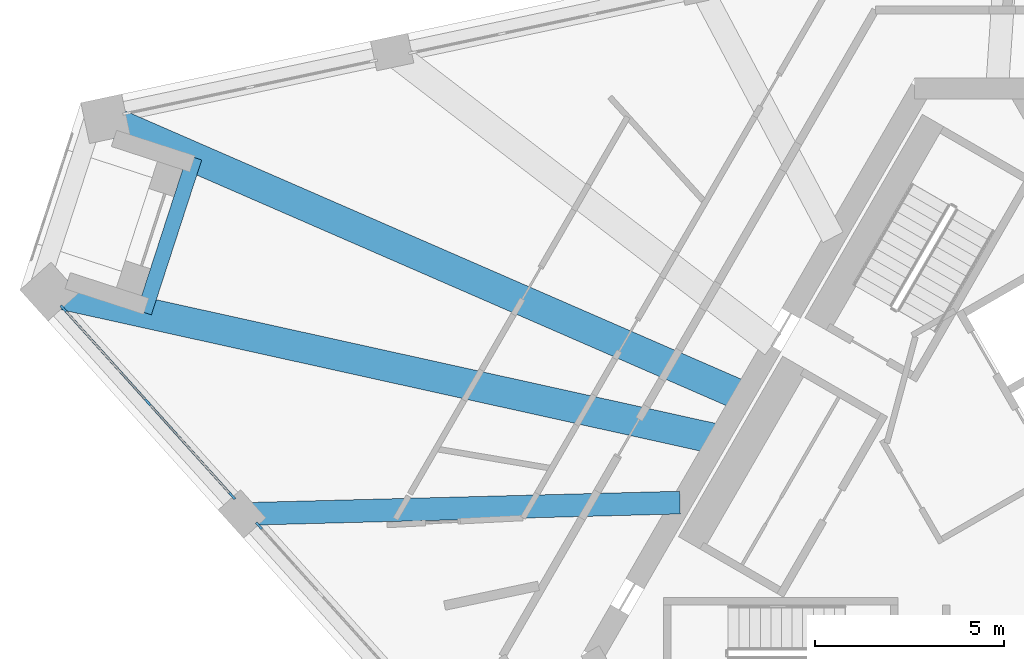
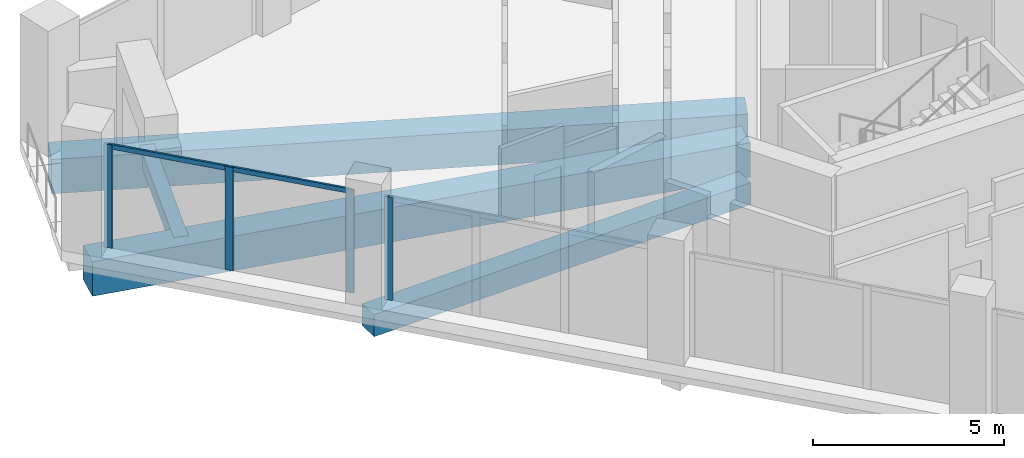
# One storey, part 4 of 17: 6 members, 4 beams, 2 elements without a shape of their own.
"""IFC4 building model written with IfcOpenShell, lengths in metres."""

from ifc_helpers import new_model, si_unit, direction, frame, origin, origin_2d, place, context, subcontext, project, spatial, rectangle, extrude, material, layer, layer_set, material_profile, profile_set, type_object, element, aggregate, save


model = new_model("IFC4")

# Units and contexts
model_context = context("Model", 3, precision=1e-05, world=origin(), true_north=direction((0.0, 1.0)))
body_context = subcontext(model_context, "Body", "Model", "MODEL_VIEW")
ifc_project = project(units=[si_unit("LENGTHUNIT", "METRE"), si_unit("AREAUNIT", "SQUARE_METRE"), si_unit("VOLUMEUNIT", "CUBIC_METRE"), si_unit("PLANEANGLEUNIT", "RADIAN"), si_unit("MASSUNIT", "GRAM", prefix="KILO")], contexts=[model_context])

# Site, building, storey
site_placement = place(None, origin())
site = spatial("IfcSite", under=ifc_project, at=site_placement, CompositionType="ELEMENT")
building_placement = place(site_placement, origin())
building = spatial("IfcBuilding", under=site, at=building_placement, Name="Tramontana Tower", CompositionType="ELEMENT")
storey_placement = place(building_placement, frame((0.0, 0.0, 348.39990234375)))
storey = spatial("IfcBuildingStorey", under=building, at=storey_placement, Name="L80", CompositionType="ELEMENT", Elevation=348.39990234375)

# Curtain wall, members
ifc_material_1 = material(Name="Aluminum extrusion", Category="aluminium")
ifc_layer = layer(ifc_material_1, 0.14990234375)
ifc_layer_set = layer_set([ifc_layer], Name="CW5 Top lounge curtain wall")
curtain_wall_type = type_object("IfcCurtainWallType", Name="CW5 Top lounge curtain wall", PredefinedType="NOTDEFINED", material=ifc_layer_set)
curtain_wall_1_placement = place(storey_placement, origin())
curtain_wall_1 = element("IfcCurtainWall", 1, at=curtain_wall_1_placement, inside=storey, type_object=curtain_wall_type, Name="CW5 curtain wall L80 face 0 bay 1", PredefinedType="NOTDEFINED")
ifc_material_2 = material(Name="Aluminum extrusion", Category="aluminium")
ifc_material_profile_1 = material_profile(ifc_material_2, rectangle(XDim=0.06005859375, YDim=0.219970703125, at=origin_2d()), Name="CW5-M Mullion 60 x 220")
ifc_profile_set_1 = profile_set([ifc_material_profile_1], Name="Aluminum extrusion")
member_type_1 = type_object("IfcMemberType", Name="CW5-M Mullion 60 x 220", PredefinedType="MULLION", material=ifc_profile_set_1)
member_1_placement = place(storey_placement, frame((-23.908447265625, 4.920654296875, 0.0), z_axis=(0.0, 0.0, 1.0), x_axis=(0.743144825477, 0.669130606359, 0.0)))
member_1 = element("IfcMember", 2, at=member_1_placement, type_object=member_type_1, Name="CW5 curtain wall L80 face 0 bay 1 mullion 1", PredefinedType="MULLION", context=body_context, shape_type="SweptSolid", body=[
    extrude(rectangle(XDim=0.06005859375, YDim=0.219970703125, at=origin_2d()), origin(), (0.0, 0.0, 1.0), 3.300048828125),
])
member_2_placement = place(storey_placement, frame((-21.682373046875, 2.4482421875, 0.0), z_axis=(0.0, 0.0, 1.0), x_axis=(0.743144825477, 0.669130606359, 0.0)))
member_2 = element("IfcMember", 3, at=member_2_placement, type_object=member_type_1, Name="CW5 curtain wall L80 face 0 bay 1 mullion 2", PredefinedType="MULLION", context=body_context, shape_type="SweptSolid", body=[
    extrude(rectangle(XDim=0.06005859375, YDim=0.219970703125, at=origin_2d()), origin(), (0.0, 0.0, 1.0), 3.300048828125),
])
member_3_placement = place(storey_placement, frame((-19.456298828125, -0.024169921875, 0.0), z_axis=(0.0, 0.0, 1.0), x_axis=(0.743144825477, 0.669130606359, 0.0)))
member_3 = element("IfcMember", 4, at=member_3_placement, type_object=member_type_1, Name="CW5 curtain wall L80 face 0 bay 1 mullion 3", PredefinedType="MULLION", context=body_context, shape_type="SweptSolid", body=[
    extrude(rectangle(XDim=0.06005859375, YDim=0.219970703125, at=origin_2d()), origin(), (0.0, 0.0, 1.0), 3.300048828125),
])

# Curtain wall, member
curtain_wall_2_placement = place(storey_placement, origin())
curtain_wall_2 = element("IfcCurtainWall", 5, at=curtain_wall_2_placement, inside=storey, type_object=curtain_wall_type, Name="CW5 curtain wall L80 face 0 bay 2", PredefinedType="NOTDEFINED")
member_4_placement = place(storey_placement, frame((-18.7470703125, -0.81201171875, 0.0), z_axis=(0.0, 0.0, 1.0), x_axis=(0.743144825477, 0.669130606359, 0.0)))
member_4 = element("IfcMember", 6, at=member_4_placement, type_object=member_type_1, Name="CW5 curtain wall L80 face 0 bay 2 mullion 1", PredefinedType="MULLION", context=body_context, shape_type="SweptSolid", body=[
    extrude(rectangle(XDim=0.06005859375, YDim=0.219970703125, at=origin_2d()), origin(), (0.0, 0.0, 1.0), 3.300048828125),
])
aggregate(curtain_wall_2, [member_4])

# Member
ifc_material_3 = material(Name="Aluminum extrusion", Category="aluminium")
ifc_material_profile_2 = material_profile(ifc_material_3, rectangle(XDim=0.06005859375, YDim=0.14990234375, at=origin_2d()), Name="CW5-T Transom 60 x 150")
ifc_profile_set_2 = profile_set([ifc_material_profile_2], Name="Aluminum extrusion")
member_type_2 = type_object("IfcMemberType", Name="CW5-T Transom 60 x 150", PredefinedType="USERDEFINED", material=ifc_profile_set_2)
member_5_placement = place(storey_placement, frame((-23.888427734375, 4.898193359375, 3.239990234375), z_axis=(0.66914637952, -0.743130622956, 0.0), x_axis=(0.743130622956, 0.66914637952, 0.0)))
member_5 = element("IfcMember", 7, at=member_5_placement, type_object=member_type_2, Name="CW5 curtain wall L80 face 0 bay 1 transom 1.1", ObjectType="TRANSOM", PredefinedType="USERDEFINED", context=body_context, shape_type="SweptSolid", body=[
    extrude(rectangle(XDim=0.06005859375, YDim=0.14990234375, at=origin_2d()), origin(), (0.0, 0.0, 1.0), 3.266845703125),
])

member_6_placement = place(storey_placement, frame((-21.662353515625, 2.42578125, 3.239990234375), z_axis=(0.66914637952, -0.743130622956, 0.0), x_axis=(0.743130622956, 0.66914637952, 0.0)))
member_6 = element("IfcMember", 8, at=member_6_placement, type_object=member_type_2, Name="CW5 curtain wall L80 face 0 bay 1 transom 2.1", ObjectType="TRANSOM", PredefinedType="USERDEFINED", context=body_context, shape_type="SweptSolid", body=[
    extrude(rectangle(XDim=0.06005859375, YDim=0.14990234375, at=origin_2d()), origin(), (0.0, 0.0, 1.0), 3.266845703125),
])

aggregate(curtain_wall_1, [member_1, member_2, member_3, member_5, member_6])

# Beams
ifc_material_4 = material(Name="Concrete 40 MPa", Category="concrete")
ifc_material_profile_3 = material_profile(ifc_material_4, rectangle(XDim=0.60009765625, YDim=0.699951171875, at=origin_2d()), Name="RC GIRDER 600X700 40 MPa")
ifc_profile_set_3 = profile_set([ifc_material_profile_3], Name="Concrete 40 MPa")
beam_type_1 = type_object("IfcBeamType", Name="RC GIRDER 600X700 40 MPa", PredefinedType="BEAM", material=ifc_profile_set_3)
beam_1_placement = place(storey_placement, frame((-19.194580078125, -0.501708984375, -0.699951171875), z_axis=(0.999658682192, 0.026125066864, 0.0), x_axis=(-0.026125066864, 0.999658682192, 0.0)))
element("IfcBeam", 9, at=beam_1_placement, inside=storey, type_object=beam_type_1, Name="Radial girder C8F01 L80", PredefinedType="BEAM", context=body_context, shape_type="SweptSolid", body=[
    extrude(rectangle(XDim=0.60009765625, YDim=0.699951171875, at=origin_2d()), origin(), (0.0, 0.0, 1.0), 11.559814453125),
])
ifc_material_5 = material(Name="Concrete 40 MPa", Category="concrete")
ifc_material_profile_4 = material_profile(ifc_material_5, rectangle(XDim=0.800048828125, YDim=1.10009765625, at=origin_2d()), Name="RC GIRDER 800X1100 40 MPa")
ifc_profile_set_4 = profile_set([ifc_material_profile_4], Name="Concrete 40 MPa")
beam_type_2 = type_object("IfcBeamType", Name="RC GIRDER 800X1100 40 MPa", PredefinedType="BEAM", material=ifc_profile_set_4)
beam_2_placement = place(storey_placement, frame((-24.278076171875, 5.368408203125, -0.89990234375), z_axis=(0.976414256624, -0.215905533653, 0.0), x_axis=(0.215905533653, 0.976414256624, 0.0)))
element("IfcBeam", 10, at=beam_2_placement, inside=storey, type_object=beam_type_2, Name="Radial girder C8K1 L80", PredefinedType="BEAM", context=body_context, shape_type="SweptSolid", body=[
    extrude(rectangle(XDim=0.800048828125, YDim=1.10009765625, at=origin_2d()), origin(), (0.0, 0.0, 1.0), 18.060791015625),
])
beam_3_placement = place(storey_placement, frame((-22.796875, 9.92724609375, -0.89990234375), z_axis=(0.916837391717, -0.399260813441, 0.0), x_axis=(0.399260813441, 0.916837391717, 0.0)))
element("IfcBeam", 11, at=beam_3_placement, inside=storey, type_object=beam_type_2, Name="Radial girder C8K6 L80", PredefinedType="BEAM", context=body_context, shape_type="SweptSolid", body=[
    extrude(rectangle(XDim=0.800048828125, YDim=1.10009765625, at=origin_2d()), origin(), (0.0, 0.0, 1.0), 18.34619140625),
])
ifc_material_6 = material(Name="Concrete 40 MPa", Category="concrete")
ifc_material_profile_5 = material_profile(ifc_material_6, rectangle(XDim=0.39990234375, YDim=0.5, at=origin_2d()), Name="RC TRIM BEAM 400X500 40 MPa")
ifc_profile_set_5 = profile_set([ifc_material_profile_5], Name="Concrete 40 MPa")
beam_type_3 = type_object("IfcBeamType", Name="RC TRIM BEAM 400X500 40 MPa", PredefinedType="JOIST", material=ifc_profile_set_5)
beam_4_placement = place(storey_placement, frame((-20.44921875, 8.90478515625, -0.599853515625), z_axis=(-0.308996198876, -0.951063272911, 0.0), x_axis=(0.951063272911, -0.308996198876, 0.0)))
element("IfcBeam", 12, at=beam_4_placement, inside=storey, type_object=beam_type_3, Name="Trimmer beam K0 L80", PredefinedType="JOIST", context=body_context, shape_type="SweptSolid", body=[
    extrude(rectangle(XDim=0.39990234375, YDim=0.5, at=origin_2d()), origin(), (0.0, 0.0, 1.0), 4.2998046875),
])

save(model, "model.ifc")
